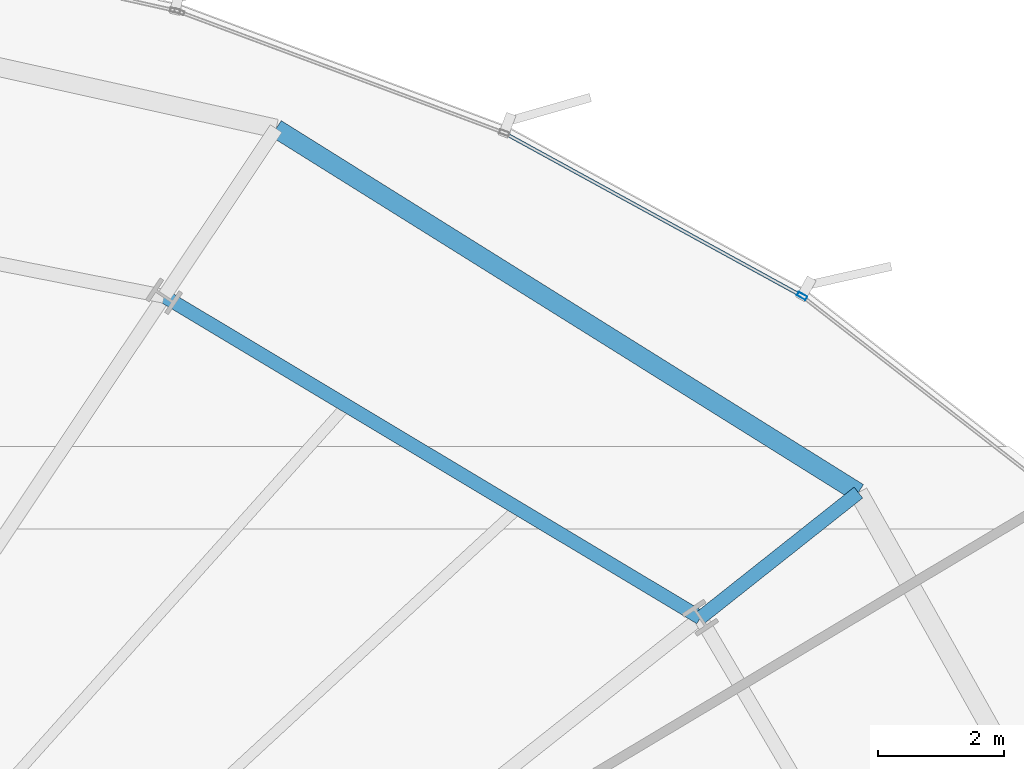
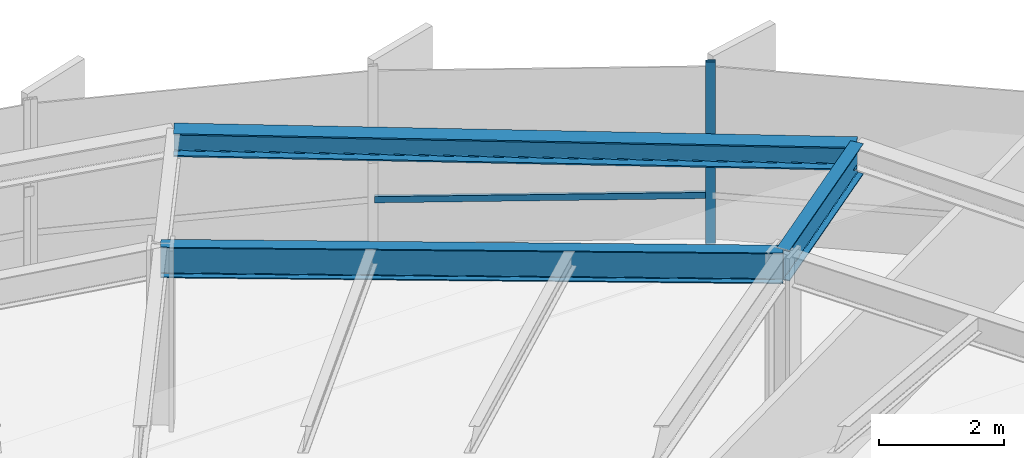
# One storey, part 24 of 37: 3 beams, 2 members, 1 element without a shape of its own.
"""IFC4 building model written with IfcOpenShell, lengths in metres."""

from ifc_helpers import new_model, si_unit, direction, frame, origin, origin_2d, place, context, subcontext, project, spatial, hollow_rectangle, i_section, extrude, source, transform, mapped, material, layer, layer_set, material_profile, profile_set, type_object, element, aggregate, save


model = new_model("IFC4")

# Units and contexts
model_context = context("Model", 3, precision=1e-05, world=origin(), true_north=direction((0.0, 1.0)))
body_context = subcontext(model_context, "Body", "Model", "MODEL_VIEW")
ifc_project = project(units=[si_unit("LENGTHUNIT", "METRE"), si_unit("AREAUNIT", "SQUARE_METRE"), si_unit("VOLUMEUNIT", "CUBIC_METRE"), si_unit("PLANEANGLEUNIT", "RADIAN"), si_unit("MASSUNIT", "GRAM", prefix="KILO"), si_unit("THERMODYNAMICTEMPERATUREUNIT", "KELVIN")], contexts=[model_context])

# Site, building, storey
site_placement = place(None, origin())
site = spatial("IfcSite", under=ifc_project, at=site_placement, CompositionType="ELEMENT")
building_placement = place(site_placement, origin())
building = spatial("IfcBuilding", under=site, at=building_placement, Name="Kethvar Cultural Tower", CompositionType="ELEMENT")
storey_placement = place(building_placement, frame((0.0, 0.0, 60.0)))
storey = spatial("IfcBuildingStorey", under=building, at=storey_placement, Name="L14", CompositionType="ELEMENT", Elevation=60.0)

# Beams
ifc_material_1 = material(Name="Steel S355J2", Category="steel")
ifc_material_profile_1 = material_profile(ifc_material_1, i_section(OverallWidth=0.219970703125, OverallDepth=0.60009765625, WebThickness=0.011962890625, FlangeThickness=0.01904296875, FilletRadius=0.02392578125, at=origin_2d()), Name="Steel S355J2 — IPE600")
ifc_profile_set_1 = profile_set([ifc_material_profile_1], Name="Steel S355J2 — IPE600")
beam_type_1 = type_object("IfcBeamType", Name="BM-IPE600", PredefinedType="BEAM", material=ifc_profile_set_1)
shared_shape_1 = source(origin(), body_context, "Body", "SweptSolid", [
    extrude(i_section(OverallWidth=0.219970703125, OverallDepth=0.60009765625, WebThickness=0.011962890625, FlangeThickness=0.01904296875, FilletRadius=0.02392578125, at=origin_2d()), origin(), (0.0, 0.0, 1.0), 3.199951171875),
])
beam_1_placement = place(storey_placement, frame((68.33642578125, 42.190185546875, 3.248046875), z_axis=(0.783844666756, 0.62095695374, 0.0), x_axis=(-0.62095695374, 0.783844666756, 0.0)))
element("IfcBeam", 1, at=beam_1_placement, inside=storey, type_object=beam_type_1, Name="L14 Perimeter Cantilever Beam RC-02", PredefinedType="BEAM", context=body_context, shape_type="MappedRepresentation", body=[
    mapped(shared_shape_1, transform((0.0, 0.0, 0.0), scale=1.0)),
])
shared_shape_2 = source(origin(), body_context, "Body", "SweptSolid", [
    extrude(i_section(OverallWidth=0.219970703125, OverallDepth=0.60009765625, WebThickness=0.011962890625, FlangeThickness=0.01904296875, FilletRadius=0.02392578125, at=origin_2d()), origin(), (0.0, 0.0, 1.0), 9.924072265625),
])
beam_2_placement = place(storey_placement, frame((68.33642578125, 42.190185546875, 3.248046875), z_axis=(-0.857664361463, 0.514209921215, 0.0), x_axis=(-0.514209921215, -0.857664361463, 0.0)))
element("IfcBeam", 2, at=beam_2_placement, inside=storey, type_object=beam_type_1, Name="L14 Column Ring Tie Beam CR-02", PredefinedType="BEAM", context=body_context, shape_type="MappedRepresentation", body=[
    mapped(shared_shape_2, transform((0.0, 0.0, 0.0), scale=1.0)),
])
ifc_material_profile_2 = material_profile(ifc_material_1, i_section(OverallWidth=0.300048828125, OverallDepth=0.449951171875, WebThickness=0.013916015625, FlangeThickness=0.02587890625, FilletRadius=0.027099609375, at=origin_2d()), Name="Steel S355J2 — HEB450")
ifc_profile_set_2 = profile_set([ifc_material_profile_2], Name="Steel S355J2 — HEB450")
beam_type_2 = type_object("IfcBeamType", Name="BM-SP450", PredefinedType="SPANDREL", material=ifc_profile_set_2)
shared_shape_3 = source(origin(), body_context, "Body", "SweptSolid", [
    extrude(i_section(OverallWidth=0.300048828125, OverallDepth=0.449951171875, WebThickness=0.013916015625, FlangeThickness=0.02587890625, FilletRadius=0.027099609375, at=origin_2d()), origin(), (0.0, 0.0, 1.0), 10.89892578125),
])
beam_3_placement = place(storey_placement, frame((70.8447265625, 44.17724609375, 3.322998046875), z_axis=(-0.847971875365, 0.530041223481, 0.0), x_axis=(-0.530041223481, -0.847971875365, 0.0)))
element("IfcBeam", 3, at=beam_3_placement, inside=storey, type_object=beam_type_2, Name="L14 Perimeter Spandrel Beam SP-02", PredefinedType="SPANDREL", context=body_context, shape_type="MappedRepresentation", body=[
    mapped(shared_shape_3, transform((0.0, 0.0, 0.0), scale=1.0)),
])

# Curtain wall, members
ifc_material_2 = material(Name="Aluminium 6063-T6", Category="aluminium")
ifc_layer = layer(ifc_material_2, 0.179931640625, Name="Aluminium 6063-T6", Category="aluminium")
ifc_layer_set = layer_set([ifc_layer], Name="Aluminium 6063-T6 (180 mm)")
curtain_wall_type = type_object("IfcCurtainWallType", Name="CW-SYS-02-Z1", PredefinedType="NOTDEFINED", material=ifc_layer_set)
curtain_wall_placement = place(storey_placement, origin())
curtain_wall = element("IfcCurtainWall", 4, at=curtain_wall_placement, inside=storey, type_object=curtain_wall_type, Name="L14 Curtain Wall Run 01", PredefinedType="NOTDEFINED")
ifc_material_profile_3 = material_profile(ifc_material_2, hollow_rectangle(XDim=0.06494140625, YDim=0.159912109375, WallThickness=0.0048828125, at=origin_2d()), Name="Aluminium 6063-T6 — RHS160x65x5")
ifc_profile_set_3 = profile_set([ifc_material_profile_3], Name="Aluminium 6063-T6 — RHS160x65x5")
member_type_1 = type_object("IfcMemberType", Name="CW-SYS-02-Z1-MUL", PredefinedType="MULLION", material=ifc_profile_set_3)
shared_shape_4 = source(origin(), body_context, "Body", "SweptSolid", [
    extrude(hollow_rectangle(XDim=0.06494140625, YDim=0.159912109375, WallThickness=0.0048828125, at=origin_2d()), origin(), (0.0, 0.0, 1.0), 3.550048828125),
])
member_1_placement = place(storey_placement, frame((69.9501953125, 47.296875, 0.0), z_axis=(0.0, 0.0, 1.0), x_axis=(-0.480407195972, -0.877045566694, 0.0)))
member_1 = element("IfcMember", 5, at=member_1_placement, type_object=member_type_1, Name="CW-L14-R01 Mullion 5", PredefinedType="MULLION", context=body_context, shape_type="MappedRepresentation", body=[
    mapped(shared_shape_4, transform((0.0, 0.0, 0.0), scale=1.0)),
])
ifc_material_profile_4 = material_profile(ifc_material_2, hollow_rectangle(XDim=0.054931640625, YDim=0.1201171875, WallThickness=0.00390625, at=origin_2d()), Name="Aluminium 6063-T6 — RHS120x55x4")
ifc_profile_set_4 = profile_set([ifc_material_profile_4], Name="Aluminium 6063-T6 — RHS120x55x4")
member_type_2 = type_object("IfcMemberType", Name="CW-SYS-02-Z1-TRN", PredefinedType="USERDEFINED", material=ifc_profile_set_4)
shared_shape_5 = source(origin(), body_context, "Body", "SweptSolid", [
    extrude(hollow_rectangle(XDim=0.054931640625, YDim=0.1201171875, WallThickness=0.00390625, at=origin_2d()), origin(), (0.0, 0.0, 1.0), 5.313232421875),
])
member_2_placement = place(storey_placement, frame((69.908935546875, 47.3193359375, 0.949951171875), z_axis=(-0.877046024737, 0.480406359754, 0.0), x_axis=(-0.480406359754, -0.877046024737, 0.0)))
member_2 = element("IfcMember", 6, at=member_2_placement, type_object=member_type_2, Name="CW-L14-R01 Transom 5", ObjectType="TRANSOM", PredefinedType="USERDEFINED", context=body_context, shape_type="MappedRepresentation", body=[
    mapped(shared_shape_5, transform((0.0, 0.0, 0.0), scale=1.0)),
])
aggregate(curtain_wall, [member_1, member_2])

save(model, "model.ifc")
